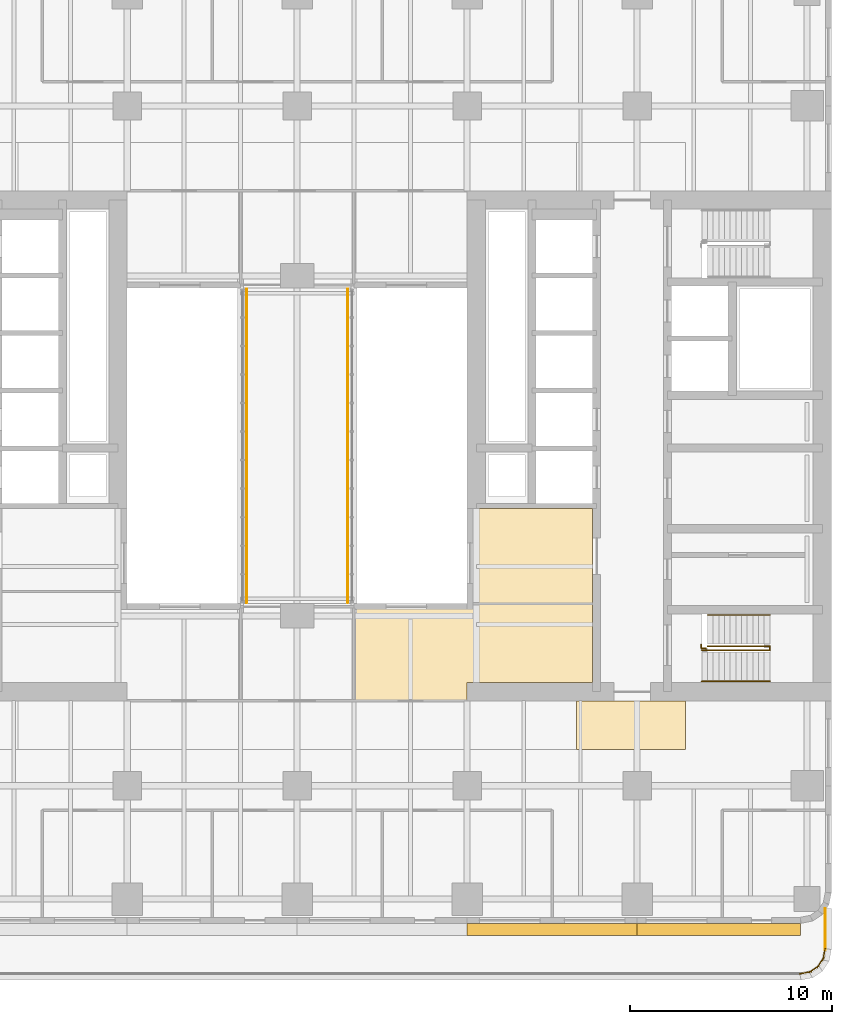
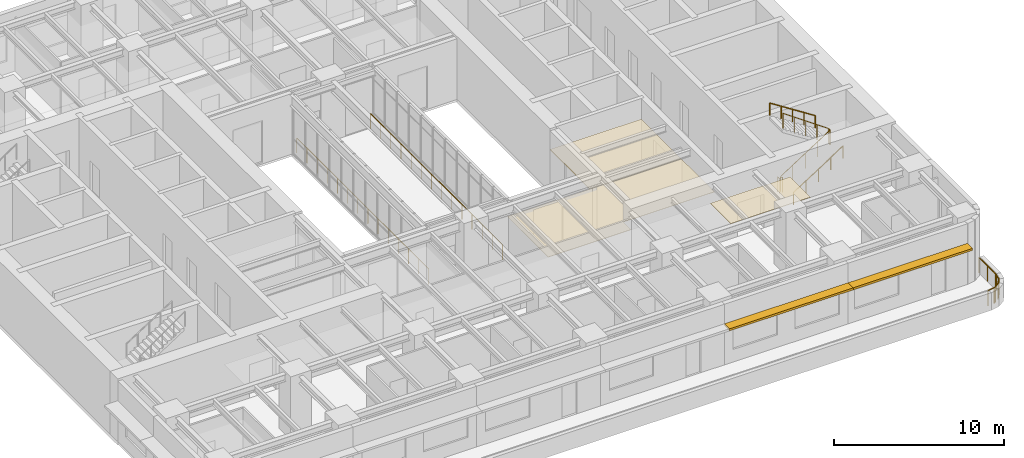
# One storey, part 15 of 17: 11 railings, 3 coverings, 2 shading devices.
"""IFC4 building model written with IfcOpenShell, lengths in metres."""

from ifc_helpers import new_model, si_unit, direction, frame, origin, origin_2d, place, context, subcontext, project, spatial, polyline, rectangle, circle, outline, extrude, material, layer, layer_set, type_object, element, save


model = new_model("IFC4")

# Units and contexts
model_context = context("Model", 3, precision=1e-05, world=origin(), true_north=direction((0.0, 1.0)))
body_context = subcontext(model_context, "Body", "Model", "MODEL_VIEW")
ifc_project = project(units=[si_unit("LENGTHUNIT", "METRE"), si_unit("AREAUNIT", "SQUARE_METRE"), si_unit("VOLUMEUNIT", "CUBIC_METRE"), si_unit("PLANEANGLEUNIT", "RADIAN"), si_unit("MASSUNIT", "GRAM", prefix="KILO")], contexts=[model_context])

# Site, building, storey
site_placement = place(None, origin())
site = spatial("IfcSite", under=ifc_project, at=site_placement, CompositionType="ELEMENT")
building_placement = place(site_placement, origin())
building = spatial("IfcBuilding", under=site, at=building_placement, Name="Claustro Exchange Tower", CompositionType="ELEMENT")
storey_placement = place(building_placement, frame((0.0, 0.0, 96.300048828125)))
storey = spatial("IfcBuildingStorey", under=building, at=storey_placement, Name="L21", CompositionType="ELEMENT", Elevation=96.300048828125)

# Coverings
ifc_material_1 = material(Name="Perforated metal ceiling tiles", Category="steel")
ifc_layer_1 = layer(ifc_material_1, 0.030029296875)
ifc_layer_set_1 = layer_set([ifc_layer_1], Name="Perforated metal ceiling tiles")
covering_type_1 = type_object("IfcCoveringType", Name="CL1 suspended metal ceiling", PredefinedType="CEILING", material=ifc_layer_set_1)
covering_1_placement = place(storey_placement, frame((0.0, 0.0, 3.0)))
element("IfcCovering", 1, at=covering_1_placement, inside=storey, type_object=covering_type_1, Name="Ceiling CL1 L21-10", PredefinedType="CEILING", context=body_context, shape_type="SweptSolid", body=[
    extrude(outline(polyline([(44.39990234375, 12.60009765625), (39.800048828125, 12.60009765625), (39.0, 12.60009765625), (39.0, 10.199951171875), (44.39990234375, 10.199951171875), (44.39990234375, 12.60009765625)])), origin(), (0.0, 0.0, 1.0), 0.030029296875),
])
ifc_material_2 = material(Name="Gypsum board ceiling", Category="gypsum board")
ifc_layer_2 = layer(ifc_material_2, 0.02490234375)
ifc_layer_set_2 = layer_set([ifc_layer_2], Name="Gypsum board ceiling")
covering_type_2 = type_object("IfcCoveringType", Name="CL2 plasterboard ceiling", PredefinedType="CEILING", material=ifc_layer_set_2)
covering_2_placement = place(storey_placement, frame((0.0, 0.0, 3.0)))
element("IfcCovering", 2, at=covering_2_placement, inside=storey, type_object=covering_type_2, Name="Ceiling CL2 L21-12", PredefinedType="CEILING", context=body_context, shape_type="SweptSolid", body=[
    extrude(outline(polyline([(33.60009765625, 17.39990234375), (28.0, 17.39990234375), (28.0, 12.60009765625), (33.60009765625, 12.60009765625), (33.60009765625, 13.5), (39.800048828125, 13.5), (39.800048828125, 17.39990234375), (33.60009765625, 17.39990234375)])), origin(), (0.0, 0.0, 1.0), 0.02490234375),
])
covering_3_placement = place(storey_placement, frame((0.0, 0.0, 3.0)))
element("IfcCovering", 3, at=covering_3_placement, inside=storey, type_object=covering_type_2, Name="Ceiling CL2 L21-14", PredefinedType="CEILING", context=body_context, shape_type="SweptSolid", body=[
    extrude(outline(polyline([(39.800048828125, 17.39990234375), (39.800048828125, 22.10009765625), (33.60009765625, 22.10009765625), (33.60009765625, 17.39990234375), (39.800048828125, 17.39990234375)])), origin(), (0.0, 0.0, 1.0), 0.02490234375),
])

# Railings
ifc_material_3 = material(Name="Laminated glass, stainless steel rail", Category="steel")
railing_type_1 = type_object("IfcRailingType", Name="GR1 1100 glass balustrade guard", PredefinedType="BALUSTRADE", material=ifc_material_3)
railing_1_placement = place(storey_placement, frame((22.699951171875, 17.449951171875, 0.0)))
element("IfcRailing", 4, at=railing_1_placement, inside=storey, type_object=railing_type_1, Name="Sky bridge guard GR1 L21", PredefinedType="BALUSTRADE", context=body_context, shape_type="SweptSolid", body=[
    extrude(circle(Radius=0.02392578125, at=origin_2d()), frame((0.0, 0.0, 1.076171875), z_axis=(0.0, 1.0, 0.0), x_axis=(-1.0, 0.0, 0.0)), (0.0, 0.0, 1.0), 15.5),
    extrude(circle(Radius=0.02099609375, at=origin_2d()), origin(), (0.0, 0.0, 1.0), 1.052001953125),
    extrude(circle(Radius=0.02099609375, at=origin_2d()), frame((0.0, 1.1923828125, 0.0)), (0.0, 0.0, 1.0), 1.052001953125),
    extrude(circle(Radius=0.02099609375, at=origin_2d()), frame((0.0, 2.384521484375, 0.0)), (0.0, 0.0, 1.0), 1.052001953125),
    extrude(circle(Radius=0.02099609375, at=origin_2d()), frame((0.0, 3.576904296875, 0.0)), (0.0, 0.0, 1.0), 1.052001953125),
    extrude(circle(Radius=0.02099609375, at=origin_2d()), frame((0.0, 4.769287109375, 0.0)), (0.0, 0.0, 1.0), 1.052001953125),
    extrude(circle(Radius=0.02099609375, at=origin_2d()), frame((0.0, 5.96142578125, 0.0)), (0.0, 0.0, 1.0), 1.052001953125),
    extrude(circle(Radius=0.02099609375, at=origin_2d()), frame((0.0, 7.15380859375, 0.0)), (0.0, 0.0, 1.0), 1.052001953125),
    extrude(circle(Radius=0.02099609375, at=origin_2d()), frame((0.0, 8.34619140625, 0.0)), (0.0, 0.0, 1.0), 1.052001953125),
    extrude(circle(Radius=0.02099609375, at=origin_2d()), frame((0.0, 9.53857421875, 0.0)), (0.0, 0.0, 1.0), 1.052001953125),
    extrude(circle(Radius=0.02099609375, at=origin_2d()), frame((0.0, 10.730712890625, 0.0)), (0.0, 0.0, 1.0), 1.052001953125),
    extrude(circle(Radius=0.02099609375, at=origin_2d()), frame((0.0, 11.923095703125, 0.0)), (0.0, 0.0, 1.0), 1.052001953125),
    extrude(circle(Radius=0.02099609375, at=origin_2d()), frame((0.0, 13.115478515625, 0.0)), (0.0, 0.0, 1.0), 1.052001953125),
    extrude(circle(Radius=0.02099609375, at=origin_2d()), frame((0.0, 14.3076171875, 0.0)), (0.0, 0.0, 1.0), 1.052001953125),
    extrude(circle(Radius=0.02099609375, at=origin_2d()), frame((0.0, 15.5, 0.0)), (0.0, 0.0, 1.0), 1.052001953125),
])
railing_2_placement = place(storey_placement, frame((27.699951171875, 17.449951171875, 0.0)))
element("IfcRailing", 5, at=railing_2_placement, inside=storey, type_object=railing_type_1, Name="Sky bridge guard GR1 L21", PredefinedType="BALUSTRADE", context=body_context, shape_type="SweptSolid", body=[
    extrude(circle(Radius=0.02392578125, at=origin_2d()), frame((0.0, 0.0, 1.076171875), z_axis=(0.0, 1.0, 0.0), x_axis=(-1.0, 0.0, 0.0)), (0.0, 0.0, 1.0), 15.5),
    extrude(circle(Radius=0.02099609375, at=origin_2d()), origin(), (0.0, 0.0, 1.0), 1.052001953125),
    extrude(circle(Radius=0.02099609375, at=origin_2d()), frame((0.0, 1.1923828125, 0.0)), (0.0, 0.0, 1.0), 1.052001953125),
    extrude(circle(Radius=0.02099609375, at=origin_2d()), frame((0.0, 2.384521484375, 0.0)), (0.0, 0.0, 1.0), 1.052001953125),
    extrude(circle(Radius=0.02099609375, at=origin_2d()), frame((0.0, 3.576904296875, 0.0)), (0.0, 0.0, 1.0), 1.052001953125),
    extrude(circle(Radius=0.02099609375, at=origin_2d()), frame((0.0, 4.769287109375, 0.0)), (0.0, 0.0, 1.0), 1.052001953125),
    extrude(circle(Radius=0.02099609375, at=origin_2d()), frame((0.0, 5.96142578125, 0.0)), (0.0, 0.0, 1.0), 1.052001953125),
    extrude(circle(Radius=0.02099609375, at=origin_2d()), frame((0.0, 7.15380859375, 0.0)), (0.0, 0.0, 1.0), 1.052001953125),
    extrude(circle(Radius=0.02099609375, at=origin_2d()), frame((0.0, 8.34619140625, 0.0)), (0.0, 0.0, 1.0), 1.052001953125),
    extrude(circle(Radius=0.02099609375, at=origin_2d()), frame((0.0, 9.53857421875, 0.0)), (0.0, 0.0, 1.0), 1.052001953125),
    extrude(circle(Radius=0.02099609375, at=origin_2d()), frame((0.0, 10.730712890625, 0.0)), (0.0, 0.0, 1.0), 1.052001953125),
    extrude(circle(Radius=0.02099609375, at=origin_2d()), frame((0.0, 11.923095703125, 0.0)), (0.0, 0.0, 1.0), 1.052001953125),
    extrude(circle(Radius=0.02099609375, at=origin_2d()), frame((0.0, 13.115478515625, 0.0)), (0.0, 0.0, 1.0), 1.052001953125),
    extrude(circle(Radius=0.02099609375, at=origin_2d()), frame((0.0, 14.3076171875, 0.0)), (0.0, 0.0, 1.0), 1.052001953125),
    extrude(circle(Radius=0.02099609375, at=origin_2d()), frame((0.0, 15.5, 0.0)), (0.0, 0.0, 1.0), 1.052001953125),
])
ifc_material_4 = material(Name="Steel balustrade, painted", Category="steel")
railing_type_2 = type_object("IfcRailingType", Name="GR2 1100 steel stair guard", PredefinedType="GUARDRAIL", material=ifc_material_4)
railing_3_placement = place(storey_placement, frame((45.199951171875, 15.10009765625, 0.179931640625)))
element("IfcRailing", 6, at=railing_3_placement, inside=storey, type_object=railing_type_2, Name="Stair well guard GR2 stair STEA L21", PredefinedType="GUARDRAIL", context=body_context, shape_type="SweptSolid", body=[
    extrude(circle(Radius=0.02392578125, at=origin_2d()), frame((0.0, 0.0, 1.076171875), z_axis=(0.84119634759, 0.0, 0.540729789082), x_axis=(0.0, 1.0, 0.0)), (0.0, 0.0, 1.0), 3.994384765625),
    extrude(circle(Radius=0.02392578125, at=origin_2d()), frame((3.360107421875, 0.0, 3.23583984375), z_axis=(0.0, 1.0, 0.0), x_axis=(-1.0, 0.0, 0.0)), (0.0, 0.0, 1.0), 0.199951171875),
    extrude(circle(Radius=0.02392578125, at=origin_2d()), frame((3.360107421875, 0.199951171875, 3.23583984375), z_axis=(-0.818719399792, 0.0, 0.574193821287), x_axis=(0.0, -1.0, 0.0)), (0.0, 0.0, 1.0), 3.761962890625),
    extrude(circle(Radius=0.02099609375, at=origin_2d()), origin(), (0.0, 0.0, 1.0), 1.052001953125),
    extrude(circle(Radius=0.02099609375, at=origin_2d()), frame((0.840087890625, 0.0, 0.5400390625)), (0.0, 0.0, 1.0), 1.052001953125),
    extrude(circle(Radius=0.02099609375, at=origin_2d()), frame((1.68017578125, 0.0, 1.080078125)), (0.0, 0.0, 1.0), 1.052001953125),
    extrude(circle(Radius=0.02099609375, at=origin_2d()), frame((2.52001953125, 0.0, 1.619873046875)), (0.0, 0.0, 1.0), 1.052001953125),
    extrude(circle(Radius=0.02099609375, at=origin_2d()), frame((3.360107421875, 0.0, 2.159912109375)), (0.0, 0.0, 1.0), 1.052001953125),
    extrude(circle(Radius=0.02099609375, at=origin_2d()), frame((3.360107421875, 0.199951171875, 2.159912109375)), (0.0, 0.0, 1.0), 1.052001953125),
    extrude(circle(Radius=0.02099609375, at=origin_2d()), frame((2.590087890625, 0.199951171875, 2.699951171875)), (0.0, 0.0, 1.0), 1.052001953125),
    extrude(circle(Radius=0.02099609375, at=origin_2d()), frame((1.820068359375, 0.199951171875, 3.239990234375)), (0.0, 0.0, 1.0), 1.052001953125),
    extrude(circle(Radius=0.02099609375, at=origin_2d()), frame((1.050048828125, 0.199951171875, 3.780029296875)), (0.0, 0.0, 1.0), 1.052001953125),
    extrude(circle(Radius=0.02099609375, at=origin_2d()), frame((0.280029296875, 0.199951171875, 4.320068359375)), (0.0, 0.0, 1.0), 1.052001953125),
])
railing_4_placement = place(storey_placement, frame((45.39990234375, 15.169921875, 0.0)))
element("IfcRailing", 7, at=railing_4_placement, inside=storey, type_object=railing_type_2, Name="Stair guard GR2 STEA L21", PredefinedType="GUARDRAIL", context=body_context, shape_type="SweptSolid", body=[
    extrude(circle(Radius=0.02392578125, at=origin_2d()), frame((0.0, 0.0, 1.076171875), z_axis=(0.0, 1.0, 0.0), x_axis=(-1.0, 0.0, 0.0)), (0.0, 0.0, 1.0), 0.030029296875),
    extrude(circle(Radius=0.02392578125, at=origin_2d()), frame((0.0, 0.030029296875, 1.076171875), z_axis=(-1.0, 0.0, 0.0), x_axis=(0.0, -1.0, 0.0)), (0.0, 0.0, 1.0), 0.224853515625),
    extrude(circle(Radius=0.02392578125, at=origin_2d()), frame((-0.224853515625, 0.030029296875, 1.076171875), z_axis=(0.0, 1.0, 0.0), x_axis=(-1.0, 0.0, 0.0)), (0.0, 0.0, 1.0), 0.179931640625),
    extrude(circle(Radius=0.02099609375, at=origin_2d()), origin(), (0.0, 0.0, 1.0), 1.052001953125),
    extrude(circle(Radius=0.02099609375, at=origin_2d()), frame((0.0, 0.030029296875, 0.0)), (0.0, 0.0, 1.0), 1.052001953125),
    extrude(circle(Radius=0.02099609375, at=origin_2d()), frame((-0.224853515625, 0.030029296875, 0.0)), (0.0, 0.0, 1.0), 1.052001953125),
    extrude(circle(Radius=0.02099609375, at=origin_2d()), frame((-0.224853515625, 0.2099609375, 0.0)), (0.0, 0.0, 1.0), 1.052001953125),
])
ifc_material_5 = material(Name="Stainless steel posts and rail, laminated glass infill", Category="steel")
railing_type_3 = type_object("IfcRailingType", Name="GR3 1100 terrace guard railing", PredefinedType="GUARDRAIL", material=ifc_material_5)
railing_5_placement = place(storey_placement, frame((51.2900390625, 2.3232421875, 0.0)))
element("IfcRailing", 8, at=railing_5_placement, inside=storey, type_object=railing_type_3, Name="Terrace guard GR3 L21", PredefinedType="GUARDRAIL", context=body_context, shape_type="SweptSolid", body=[
    extrude(circle(Radius=0.02392578125, at=origin_2d()), frame((0.0, 0.0, 1.076171875), z_axis=(0.0, -1.0, 0.0), x_axis=(1.0, 0.0, 0.0)), (0.0, 0.0, 1.0), 2.023193359375),
    extrude(circle(Radius=0.02099609375, at=origin_2d()), origin(), (0.0, 0.0, 1.0), 1.052001953125),
    extrude(circle(Radius=0.02099609375, at=origin_2d()), frame((0.0, -1.01171875, 0.0)), (0.0, 0.0, 1.0), 1.052001953125),
    extrude(circle(Radius=0.02099609375, at=origin_2d()), frame((0.0, -2.023193359375, 0.0)), (0.0, 0.0, 1.0), 1.052001953125),
])
railing_6_placement = place(storey_placement, frame((51.2958984375, 0.360595703125, 0.0)))
element("IfcRailing", 9, at=railing_6_placement, inside=storey, type_object=railing_type_3, Name="Terrace guard GR3 L21", PredefinedType="GUARDRAIL", context=body_context, shape_type="SweptSolid", body=[
    extrude(circle(Radius=0.02392578125, at=origin_2d()), frame((0.0, 0.0, 1.076171875), z_axis=(-0.1948322756, -0.980836573739, 0.0), x_axis=(0.980836573739, -0.1948322756, 0.0)), (0.0, 0.0, 1.0), 0.585205078125),
    extrude(circle(Radius=0.02099609375, at=origin_2d()), origin(), (0.0, 0.0, 1.0), 1.052001953125),
    extrude(circle(Radius=0.02099609375, at=origin_2d()), frame((-0.114013671875, -0.573974609375, 0.0)), (0.0, 0.0, 1.0), 1.052001953125),
])
railing_7_placement = place(storey_placement, frame((51.22802734375, -0.101806640625, 0.0)))
element("IfcRailing", 10, at=railing_7_placement, inside=storey, type_object=railing_type_3, Name="Terrace guard GR3 L21", PredefinedType="GUARDRAIL", context=body_context, shape_type="SweptSolid", body=[
    extrude(circle(Radius=0.02392578125, at=origin_2d()), frame((0.0, 0.0, 1.076171875), z_axis=(-0.555374050802, -0.831600663598, 0.0), x_axis=(0.831600663598, -0.555374050802, 0.0)), (0.0, 0.0, 1.0), 0.585205078125),
    extrude(circle(Radius=0.02099609375, at=origin_2d()), origin(), (0.0, 0.0, 1.0), 1.052001953125),
    extrude(circle(Radius=0.02099609375, at=origin_2d()), frame((-0.324951171875, -0.486572265625, 0.0)), (0.0, 0.0, 1.0), 1.052001953125),
])
railing_8_placement = place(storey_placement, frame((50.988525390625, -0.5029296875, 0.0)))
element("IfcRailing", 11, at=railing_8_placement, inside=storey, type_object=railing_type_3, Name="Terrace guard GR3 L21", PredefinedType="GUARDRAIL", context=body_context, shape_type="SweptSolid", body=[
    extrude(circle(Radius=0.02392578125, at=origin_2d()), frame((0.0, 0.0, 1.076171875), z_axis=(-0.831536683512, -0.555469840741, 0.0), x_axis=(0.555469840741, -0.831536683512, 0.0)), (0.0, 0.0, 1.0), 0.58544921875),
    extrude(circle(Radius=0.02099609375, at=origin_2d()), origin(), (0.0, 0.0, 1.0), 1.052001953125),
    extrude(circle(Radius=0.02099609375, at=origin_2d()), frame((-0.48681640625, -0.3251953125, 0.0)), (0.0, 0.0, 1.0), 1.052001953125),
])
railing_9_placement = place(storey_placement, frame((50.613525390625, -0.78173828125, 0.0)))
element("IfcRailing", 12, at=railing_9_placement, inside=storey, type_object=railing_type_3, Name="Terrace guard GR3 L21", PredefinedType="GUARDRAIL", context=body_context, shape_type="SweptSolid", body=[
    extrude(circle(Radius=0.02392578125, at=origin_2d()), frame((0.0, 0.0, 1.076171875), z_axis=(-0.980756771825, -0.195233589627, 0.0), x_axis=(0.195233589627, -0.980756771825, 0.0)), (0.0, 0.0, 1.0), 0.585205078125),
    extrude(circle(Radius=0.02099609375, at=origin_2d()), origin(), (0.0, 0.0, 1.0), 1.052001953125),
    extrude(circle(Radius=0.02099609375, at=origin_2d()), frame((-0.573974609375, -0.1142578125, 0.0)), (0.0, 0.0, 1.0), 1.052001953125),
])
ifc_material_6 = material(Name="Stainless steel tube", Category="steel")
railing_type_4 = type_object("IfcRailingType", Name="HR1 900 stair handrail", PredefinedType="HANDRAIL", material=ifc_material_6)
railing_10_placement = place(storey_placement, frame((45.199951171875, 13.56005859375, 0.179931640625)))
element("IfcRailing", 13, at=railing_10_placement, inside=storey, type_object=railing_type_4, Name="Handrail HR1 stair STEA L21", PredefinedType="HANDRAIL", context=body_context, shape_type="SweptSolid", body=[
    extrude(circle(Radius=0.02392578125, at=origin_2d()), frame((0.0, 0.0, 0.8759765625), z_axis=(0.84119634759, 0.0, 0.540729789082), x_axis=(0.0, 1.0, 0.0)), (0.0, 0.0, 1.0), 3.994384765625),
    extrude(circle(Radius=0.02099609375, at=origin_2d()), origin(), (0.0, 0.0, 1.0), 0.851806640625),
    extrude(circle(Radius=0.02099609375, at=origin_2d()), frame((0.840087890625, 0.0, 0.5400390625)), (0.0, 0.0, 1.0), 0.851806640625),
    extrude(circle(Radius=0.02099609375, at=origin_2d()), frame((1.68017578125, 0.0, 1.080078125)), (0.0, 0.0, 1.0), 0.851806640625),
    extrude(circle(Radius=0.02099609375, at=origin_2d()), frame((2.52001953125, 0.0, 1.619873046875)), (0.0, 0.0, 1.0), 0.851806640625),
    extrude(circle(Radius=0.02099609375, at=origin_2d()), frame((3.360107421875, 0.0, 2.159912109375)), (0.0, 0.0, 1.0), 0.851806640625),
])
railing_11_placement = place(storey_placement, frame((48.56005859375, 16.840087890625, 2.52001953125)))
element("IfcRailing", 14, at=railing_11_placement, inside=storey, type_object=railing_type_4, Name="Handrail HR1 stair STEA L21", PredefinedType="HANDRAIL", context=body_context, shape_type="SweptSolid", body=[
    extrude(circle(Radius=0.02392578125, at=origin_2d()), frame((0.0, 0.0, 0.8759765625), z_axis=(-0.84118714077, 0.0, 0.540744111576), x_axis=(0.0, -1.0, 0.0)), (0.0, 0.0, 1.0), 3.66162109375),
    extrude(circle(Radius=0.02099609375, at=origin_2d()), origin(), (0.0, 0.0, 1.0), 0.851806640625),
    extrude(circle(Radius=0.02099609375, at=origin_2d()), frame((-0.77001953125, 0.0, 0.4951171875)), (0.0, 0.0, 1.0), 0.851806640625),
    extrude(circle(Radius=0.02099609375, at=origin_2d()), frame((-1.5400390625, 0.0, 0.989990234375)), (0.0, 0.0, 1.0), 0.851806640625),
    extrude(circle(Radius=0.02099609375, at=origin_2d()), frame((-2.31005859375, 0.0, 1.48486328125)), (0.0, 0.0, 1.0), 0.851806640625),
    extrude(circle(Radius=0.02099609375, at=origin_2d()), frame((-3.080078125, 0.0, 1.97998046875)), (0.0, 0.0, 1.0), 0.851806640625),
])

# Shading devices
ifc_material_7 = material(Name="Concrete HA-40 (C40/50), precast, white cement, acid-etched", Category="concrete")
ifc_layer_3 = layer(ifc_material_7, 0.14990234375)
ifc_layer_set_3 = layer_set([ifc_layer_3], Name="Concrete HA-40 (C40/50), precast, white cement, acid-etched")
shading_device_type = type_object("IfcShadingDeviceType", Name="SS1 600 precast concrete SUNSHADE", PredefinedType="SHUTTER", material=ifc_layer_set_3)
shading_device_1_placement = place(storey_placement, frame((46.04248046875, 1.300048828125, 2.800048828125), z_axis=(0.0, 0.0, 1.0), x_axis=(-1.0, 0.0, 0.0)))
element("IfcShadingDevice", 15, at=shading_device_1_placement, inside=storey, type_object=shading_device_type, Name="Precast SUNSHADE SS1 L21", PredefinedType="SHUTTER", context=body_context, shape_type="SweptSolid", body=[
    extrude(rectangle(XDim=8.085205078125, YDim=0.60009765625, at=origin_2d()), origin(), (0.0, 0.0, 1.0), 0.14990234375),
])
shading_device_2_placement = place(storey_placement, frame((37.800048828125, 1.300048828125, 2.800048828125), z_axis=(0.0, 0.0, 1.0), x_axis=(-1.0, 0.0, 0.0)))
element("IfcShadingDevice", 16, at=shading_device_2_placement, inside=storey, type_object=shading_device_type, Name="Precast SUNSHADE SS1 L21", PredefinedType="SHUTTER", context=body_context, shape_type="SweptSolid", body=[
    extrude(rectangle(XDim=8.39990234375, YDim=0.60009765625, at=origin_2d()), origin(), (0.0, 0.0, 1.0), 0.14990234375),
])

save(model, "model.ifc")
